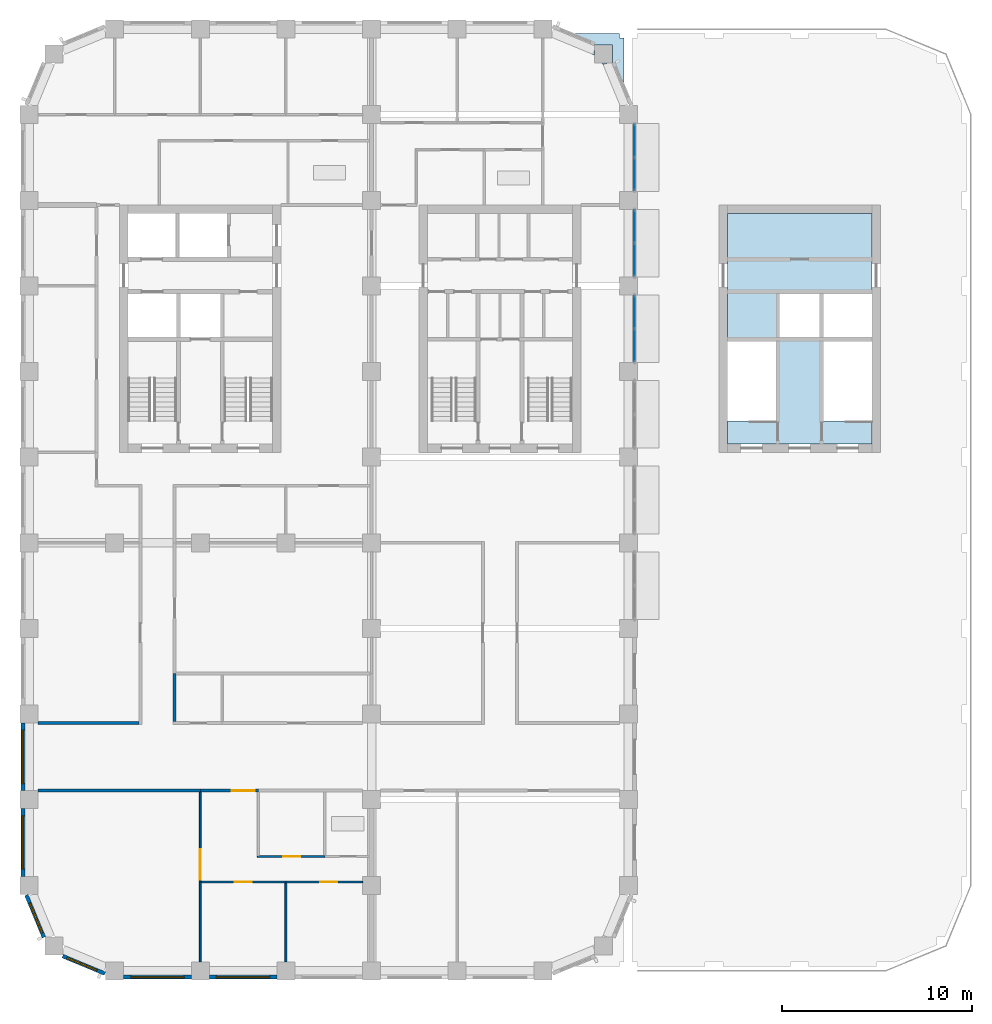
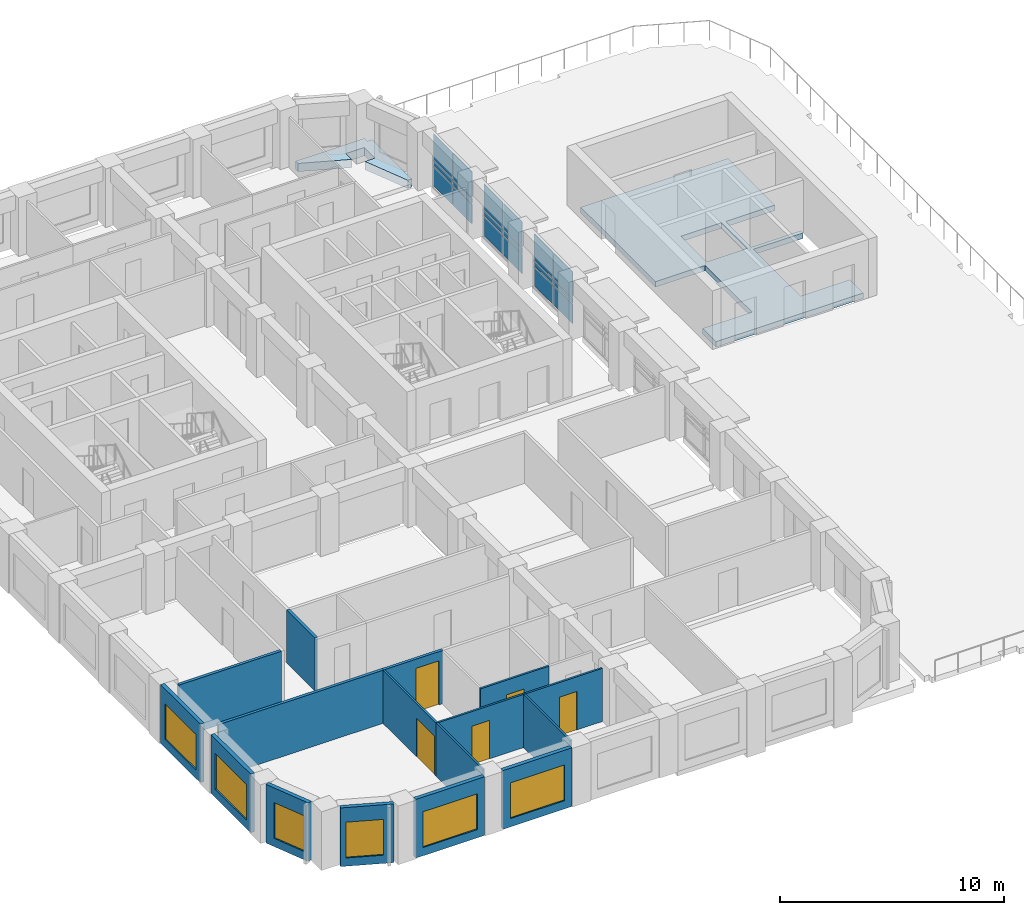
# One storey, part 6 of 15: 18 plates, 16 walls, 6 windows, 5 doors, 2 slabs, 11 openings, 3 elements without a shape of their own.
"""IFC4 building model written with IfcOpenShell, lengths in metres."""

from ifc_helpers import new_model, si_unit, direction, frame, frame_2d, origin, origin_2d, place, context, subcontext, project, spatial, polyline, rectangle, outline, extrude, material, layer, layer_set, type_object, element, fill, aggregate, save


model = new_model("IFC4")

# Units and contexts
model_context = context("Model", 3, precision=1e-05, world=origin(), true_north=direction((0.0, 1.0)))
body_context = subcontext(model_context, "Body", "Model", "MODEL_VIEW")
ifc_project = project(units=[si_unit("LENGTHUNIT", "METRE"), si_unit("AREAUNIT", "SQUARE_METRE"), si_unit("VOLUMEUNIT", "CUBIC_METRE"), si_unit("PLANEANGLEUNIT", "RADIAN"), si_unit("MASSUNIT", "GRAM", prefix="KILO")], contexts=[model_context])

# Site, building, storey
site_placement = place(None, origin())
site = spatial("IfcSite", under=ifc_project, at=site_placement, CompositionType="ELEMENT")
building_placement = place(site_placement, origin())
building = spatial("IfcBuilding", under=site, at=building_placement, Name="Girih Gate Residences", CompositionType="ELEMENT")
storey_placement = place(building_placement, frame((0.0, 0.0, 176.300048828125)))
storey = spatial("IfcBuildingStorey", under=building, at=storey_placement, Name="L48", CompositionType="ELEMENT", Elevation=176.300048828125)

# Slab
ifc_material_1 = material(Name="Concrete C40/50", Category="concrete")
ifc_layer_1 = layer(ifc_material_1, 0.300048828125)
ifc_layer_set_1 = layer_set([ifc_layer_1], Name="Core floor slab 300")
slab_type_1 = type_object("IfcSlabType", Name="Core floor slab 300", PredefinedType="FLOOR", material=ifc_layer_set_1)
slab_1_placement = place(storey_placement, frame((0.0, 0.0, -0.300048828125)))
element("IfcSlab", 1, at=slab_1_placement, inside=storey, type_object=slab_type_1, Name="L48 E core floor", PredefinedType="FLOOR", context=body_context, shape_type="SweptSolid", body=[
    extrude(outline(polyline([(44.300048828125, 27.699951171875), (36.699951171875, 27.699951171875), (36.699951171875, 28.900634765625), (39.25, 28.900634765625), (39.25, 33.10009765625), (36.699951171875, 33.10009765625), (36.699951171875, 39.800048828125), (44.300048828125, 39.800048828125), (44.300048828125, 35.60009765625), (41.75, 35.60009765625), (41.75, 33.300048828125), (44.300048828125, 33.300048828125), (44.300048828125, 33.10009765625), (41.75, 33.10009765625), (41.75, 28.900634765625), (44.300048828125, 28.900634765625), (44.300048828125, 27.699951171875)]), holes=[polyline([(39.449951171875, 33.300048828125), (41.550048828125, 33.300048828125), (41.550048828125, 35.60009765625), (39.449951171875, 35.60009765625), (39.449951171875, 33.300048828125)])]), origin(), (0.0, 0.0, 1.0), 0.300048828125),
])

# Curtain wall, plates
ifc_material_2 = material(Name="Aluminium curtain wall frame", Category="aluminium")
curtain_wall_type = type_object("IfcCurtainWallType", Name="Curtain wall CW-3 sky lounge glazing", PredefinedType="NOTDEFINED", material=ifc_material_2)
curtain_wall_1_placement = place(storey_placement, origin())
curtain_wall_1 = element("IfcCurtainWall", 2, at=curtain_wall_1_placement, inside=storey, type_object=curtain_wall_type, Name="CW-3 Sky lounge glazing E0315_0045.6", PredefinedType="NOTDEFINED")
ifc_material_3 = material(Name="Triple glazed unit")
ifc_layer_2 = layer(ifc_material_3, 0.0439453125)
ifc_layer_set_2 = layer_set([ifc_layer_2], Name="Curtain wall glass panel 44")
plate_type = type_object("IfcPlateType", Name="Curtain wall glass panel 44", PredefinedType="CURTAIN_PANEL", material=ifc_layer_set_2)
plate_1_placement = place(storey_placement, frame((31.81494140625, 32.87744140625, 0.059814453125), z_axis=(0.0, 0.0, 1.0), x_axis=(0.0, 1.0, 0.0)))
plate_1 = element("IfcPlate", 3, at=plate_1_placement, type_object=plate_type, Name="CW-3 panel 1.1", PredefinedType="CURTAIN_PANEL", context=body_context, shape_type="SweptSolid", body=[
    extrude(rectangle(XDim=1.68505859375, YDim=0.028076171875, at=origin_2d()), origin(), (0.0, 0.0, 1.0), 1.06005859375),
])
plate_2_placement = place(storey_placement, frame((31.81494140625, 32.87744140625, 1.18017578125), z_axis=(0.0, 0.0, 1.0), x_axis=(0.0, 1.0, 0.0)))
plate_2 = element("IfcPlate", 4, at=plate_2_placement, type_object=plate_type, Name="CW-3 panel 1.2", PredefinedType="CURTAIN_PANEL", context=body_context, shape_type="SweptSolid", body=[
    extrude(rectangle(XDim=1.68505859375, YDim=0.028076171875, at=origin_2d()), origin(), (0.0, 0.0, 1.0), 0.264892578125),
])
plate_3_placement = place(storey_placement, frame((31.81494140625, 32.87744140625, 1.5048828125), z_axis=(0.0, 0.0, 1.0), x_axis=(0.0, 1.0, 0.0)))
plate_3 = element("IfcPlate", 5, at=plate_3_placement, type_object=plate_type, Name="CW-3 panel 1.3", PredefinedType="CURTAIN_PANEL", context=body_context, shape_type="SweptSolid", body=[
    extrude(rectangle(XDim=1.68505859375, YDim=0.028076171875, at=origin_2d()), origin(), (0.0, 0.0, 1.0), 1.385009765625),
])
plate_4_placement = place(storey_placement, frame((31.81494140625, 34.62255859375, 0.059814453125), z_axis=(0.0, 0.0, 1.0), x_axis=(0.0, 1.0, 0.0)))
plate_4 = element("IfcPlate", 6, at=plate_4_placement, type_object=plate_type, Name="CW-3 panel 2.1", PredefinedType="CURTAIN_PANEL", context=body_context, shape_type="SweptSolid", body=[
    extrude(rectangle(XDim=1.68505859375, YDim=0.028076171875, at=origin_2d()), origin(), (0.0, 0.0, 1.0), 1.06005859375),
])
plate_5_placement = place(storey_placement, frame((31.81494140625, 34.62255859375, 1.18017578125), z_axis=(0.0, 0.0, 1.0), x_axis=(0.0, 1.0, 0.0)))
plate_5 = element("IfcPlate", 7, at=plate_5_placement, type_object=plate_type, Name="CW-3 panel 2.2", PredefinedType="CURTAIN_PANEL", context=body_context, shape_type="SweptSolid", body=[
    extrude(rectangle(XDim=1.68505859375, YDim=0.028076171875, at=origin_2d()), origin(), (0.0, 0.0, 1.0), 0.264892578125),
])
plate_6_placement = place(storey_placement, frame((31.81494140625, 34.62255859375, 1.5048828125), z_axis=(0.0, 0.0, 1.0), x_axis=(0.0, 1.0, 0.0)))
plate_6 = element("IfcPlate", 8, at=plate_6_placement, type_object=plate_type, Name="CW-3 panel 2.3", PredefinedType="CURTAIN_PANEL", context=body_context, shape_type="SweptSolid", body=[
    extrude(rectangle(XDim=1.68505859375, YDim=0.028076171875, at=origin_2d()), origin(), (0.0, 0.0, 1.0), 1.385009765625),
])
aggregate(curtain_wall_1, [plate_1, plate_2, plate_3, plate_4, plate_5, plate_6])

curtain_wall_2_placement = place(storey_placement, origin())
curtain_wall_2 = element("IfcCurtainWall", 9, at=curtain_wall_2_placement, inside=storey, type_object=curtain_wall_type, Name="CW-3 Sky lounge glazing E0315_0045.7", PredefinedType="NOTDEFINED")
plate_7_placement = place(storey_placement, frame((31.81494140625, 37.37744140625, 0.059814453125), z_axis=(0.0, 0.0, 1.0), x_axis=(0.0, 1.0, 0.0)))
plate_7 = element("IfcPlate", 10, at=plate_7_placement, type_object=plate_type, Name="CW-3 panel 1.1", PredefinedType="CURTAIN_PANEL", context=body_context, shape_type="SweptSolid", body=[
    extrude(rectangle(XDim=1.68505859375, YDim=0.028076171875, at=origin_2d()), origin(), (0.0, 0.0, 1.0), 1.06005859375),
])
plate_8_placement = place(storey_placement, frame((31.81494140625, 37.37744140625, 1.18017578125), z_axis=(0.0, 0.0, 1.0), x_axis=(0.0, 1.0, 0.0)))
plate_8 = element("IfcPlate", 11, at=plate_8_placement, type_object=plate_type, Name="CW-3 panel 1.2", PredefinedType="CURTAIN_PANEL", context=body_context, shape_type="SweptSolid", body=[
    extrude(rectangle(XDim=1.68505859375, YDim=0.028076171875, at=origin_2d()), origin(), (0.0, 0.0, 1.0), 0.264892578125),
])
plate_9_placement = place(storey_placement, frame((31.81494140625, 37.37744140625, 1.5048828125), z_axis=(0.0, 0.0, 1.0), x_axis=(0.0, 1.0, 0.0)))
plate_9 = element("IfcPlate", 12, at=plate_9_placement, type_object=plate_type, Name="CW-3 panel 1.3", PredefinedType="CURTAIN_PANEL", context=body_context, shape_type="SweptSolid", body=[
    extrude(rectangle(XDim=1.68505859375, YDim=0.028076171875, at=origin_2d()), origin(), (0.0, 0.0, 1.0), 1.385009765625),
])
plate_10_placement = place(storey_placement, frame((31.81494140625, 39.12255859375, 0.059814453125), z_axis=(0.0, 0.0, 1.0), x_axis=(0.0, 1.0, 0.0)))
plate_10 = element("IfcPlate", 13, at=plate_10_placement, type_object=plate_type, Name="CW-3 panel 2.1", PredefinedType="CURTAIN_PANEL", context=body_context, shape_type="SweptSolid", body=[
    extrude(rectangle(XDim=1.68505859375, YDim=0.028076171875, at=origin_2d()), origin(), (0.0, 0.0, 1.0), 1.06005859375),
])
plate_11_placement = place(storey_placement, frame((31.81494140625, 39.12255859375, 1.18017578125), z_axis=(0.0, 0.0, 1.0), x_axis=(0.0, 1.0, 0.0)))
plate_11 = element("IfcPlate", 14, at=plate_11_placement, type_object=plate_type, Name="CW-3 panel 2.2", PredefinedType="CURTAIN_PANEL", context=body_context, shape_type="SweptSolid", body=[
    extrude(rectangle(XDim=1.68505859375, YDim=0.028076171875, at=origin_2d()), origin(), (0.0, 0.0, 1.0), 0.264892578125),
])
plate_12_placement = place(storey_placement, frame((31.81494140625, 39.12255859375, 1.5048828125), z_axis=(0.0, 0.0, 1.0), x_axis=(0.0, 1.0, 0.0)))
plate_12 = element("IfcPlate", 15, at=plate_12_placement, type_object=plate_type, Name="CW-3 panel 2.3", PredefinedType="CURTAIN_PANEL", context=body_context, shape_type="SweptSolid", body=[
    extrude(rectangle(XDim=1.68505859375, YDim=0.028076171875, at=origin_2d()), origin(), (0.0, 0.0, 1.0), 1.385009765625),
])
aggregate(curtain_wall_2, [plate_7, plate_8, plate_9, plate_10, plate_11, plate_12])

curtain_wall_3_placement = place(storey_placement, origin())
curtain_wall_3 = element("IfcCurtainWall", 16, at=curtain_wall_3_placement, inside=storey, type_object=curtain_wall_type, Name="CW-3 Sky lounge glazing E0315_0045.8", PredefinedType="NOTDEFINED")
plate_13_placement = place(storey_placement, frame((31.81494140625, 41.87744140625, 0.059814453125), z_axis=(0.0, 0.0, 1.0), x_axis=(0.0, 1.0, 0.0)))
plate_13 = element("IfcPlate", 17, at=plate_13_placement, type_object=plate_type, Name="CW-3 panel 1.1", PredefinedType="CURTAIN_PANEL", context=body_context, shape_type="SweptSolid", body=[
    extrude(rectangle(XDim=1.68505859375, YDim=0.028076171875, at=origin_2d()), origin(), (0.0, 0.0, 1.0), 1.06005859375),
])
plate_14_placement = place(storey_placement, frame((31.81494140625, 41.87744140625, 1.18017578125), z_axis=(0.0, 0.0, 1.0), x_axis=(0.0, 1.0, 0.0)))
plate_14 = element("IfcPlate", 18, at=plate_14_placement, type_object=plate_type, Name="CW-3 panel 1.2", PredefinedType="CURTAIN_PANEL", context=body_context, shape_type="SweptSolid", body=[
    extrude(rectangle(XDim=1.68505859375, YDim=0.028076171875, at=origin_2d()), origin(), (0.0, 0.0, 1.0), 0.264892578125),
])
plate_15_placement = place(storey_placement, frame((31.81494140625, 41.87744140625, 1.5048828125), z_axis=(0.0, 0.0, 1.0), x_axis=(0.0, 1.0, 0.0)))
plate_15 = element("IfcPlate", 19, at=plate_15_placement, type_object=plate_type, Name="CW-3 panel 1.3", PredefinedType="CURTAIN_PANEL", context=body_context, shape_type="SweptSolid", body=[
    extrude(rectangle(XDim=1.68505859375, YDim=0.028076171875, at=origin_2d()), origin(), (0.0, 0.0, 1.0), 1.385009765625),
])
plate_16_placement = place(storey_placement, frame((31.81494140625, 43.62255859375, 0.059814453125), z_axis=(0.0, 0.0, 1.0), x_axis=(0.0, 1.0, 0.0)))
plate_16 = element("IfcPlate", 20, at=plate_16_placement, type_object=plate_type, Name="CW-3 panel 2.1", PredefinedType="CURTAIN_PANEL", context=body_context, shape_type="SweptSolid", body=[
    extrude(rectangle(XDim=1.68505859375, YDim=0.028076171875, at=origin_2d()), origin(), (0.0, 0.0, 1.0), 1.06005859375),
])
plate_17_placement = place(storey_placement, frame((31.81494140625, 43.62255859375, 1.18017578125), z_axis=(0.0, 0.0, 1.0), x_axis=(0.0, 1.0, 0.0)))
plate_17 = element("IfcPlate", 21, at=plate_17_placement, type_object=plate_type, Name="CW-3 panel 2.2", PredefinedType="CURTAIN_PANEL", context=body_context, shape_type="SweptSolid", body=[
    extrude(rectangle(XDim=1.68505859375, YDim=0.028076171875, at=origin_2d()), origin(), (0.0, 0.0, 1.0), 0.264892578125),
])
plate_18_placement = place(storey_placement, frame((31.81494140625, 43.62255859375, 1.5048828125), z_axis=(0.0, 0.0, 1.0), x_axis=(0.0, 1.0, 0.0)))
plate_18 = element("IfcPlate", 22, at=plate_18_placement, type_object=plate_type, Name="CW-3 panel 2.3", PredefinedType="CURTAIN_PANEL", context=body_context, shape_type="SweptSolid", body=[
    extrude(rectangle(XDim=1.68505859375, YDim=0.028076171875, at=origin_2d()), origin(), (0.0, 0.0, 1.0), 1.385009765625),
])
aggregate(curtain_wall_3, [plate_13, plate_14, plate_15, plate_16, plate_17, plate_18])

# Slab
ifc_layer_3 = layer(ifc_material_1, 0.449951171875)
ifc_layer_set_3 = layer_set([ifc_layer_3], Name="Terrace slab RC 450 Concrete C40/50")
slab_type_2 = type_object("IfcSlabType", Name="Terrace slab RC 450 Concrete C40/50", PredefinedType="FLOOR", material=ifc_layer_set_3)
slab_2_placement = place(storey_placement, frame((0.0, 0.0, -0.449951171875)))
element("IfcSlab", 23, at=slab_2_placement, inside=storey, type_object=slab_type_2, Name="Terrace slab L48 2", PredefinedType="FLOOR", context=body_context, shape_type="SweptSolid", body=[
    extrude(outline(polyline([(30.656982421875, 47.70703125), (30.13525390625, 47.70703125), (31.059814453125, 45.47509765625), (31.27490234375, 45.47509765625), (31.27490234375, 49.02490234375), (31.02490234375, 49.02490234375), (31.02490234375, 49.27490234375), (27.47509765625, 49.27490234375), (27.47509765625, 49.059814453125), (29.70703125, 48.13525390625), (29.70703125, 48.656982421875), (30.656982421875, 48.656982421875), (30.656982421875, 47.70703125)])), origin(), (0.0, 0.0, 1.0), 0.449951171875),
])

# Wall, opening, door
ifc_material_4 = material(Name="Gypsum board on steel studs", Category="steel")
ifc_layer_4 = layer(ifc_material_4, 0.14990234375)
ifc_layer_set_4 = layer_set([ifc_layer_4], Name="Compartment wall 150 mm")
wall_type_1 = type_object("IfcWallType", Name="Compartment wall 150 mm", PredefinedType="PARTITIONING", material=ifc_layer_set_4)
wall_1_placement = place(storey_placement, frame((12.050048828125, 9.47509765625, 0.0), z_axis=(0.0, 0.0, 1.0), x_axis=(-1.0, 0.0, 0.0)))
wall_1 = element("IfcWall", 24, at=wall_1_placement, inside=storey, type_object=wall_type_1, Name="L48 partition", PredefinedType="PARTITIONING", context=body_context, shape_type="SweptSolid", body=[
    extrude(rectangle(XDim=3.050048828125, YDim=0.14990234375, at=frame_2d((1.52490234375, 0.0))), origin(), (0.0, 0.0, 1.0), 2.89990234375),
])
opening_1_placement = place(wall_1_placement, frame((0.199951171875, 0.0, 0.0)))
opening_1 = element("IfcOpeningElement", 25, at=opening_1_placement, cuts=wall_1, Name="Opening A48-006", PredefinedType="OPENING", context=body_context, shape_type="SweptSolid", body=[
    extrude(rectangle(XDim=1.199951171875, YDim=2.39990234375, at=frame_2d((0.60009765625, 1.199951171875))), frame((0.0, 0.0849609375, 0.0), z_axis=(0.0, -1.0, 0.0), x_axis=(1.0, 0.0, 0.0)), (0.0, 0.0, 1.0), 0.169921875),
])
ifc_material_5 = material(Name="Timber, fire-rated core", Category="wood")
door_type_1 = type_object("IfcDoorType", Name="Villa entrance door 1200x2400 FD30S", OperationType="NOTDEFINED", PredefinedType="DOOR", material=ifc_material_5)
door_1_placement = place(opening_1_placement, origin())
door_1 = element("IfcDoor", 26, at=door_1_placement, inside=storey, type_object=door_type_1, Name="Door A48-006", OperationType="SINGLE_SWING_LEFT", OverallHeight=2.39990234375, OverallWidth=1.199951171875, PredefinedType="DOOR", context=body_context, shape_type="SweptSolid", body=[
    extrude(rectangle(XDim=1.199951171875, YDim=2.39990234375, at=frame_2d((0.60009765625, 1.199951171875))), frame((0.0, 0.02490234375, 0.0), z_axis=(0.0, -1.0, 0.0), x_axis=(1.0, 0.0, 0.0)), (0.0, 0.0, 1.0), 0.050048828125),
])
fill(opening_1, door_1)

# Walls
wall_2_placement = place(storey_placement, frame((0.47509765625, 9.47509765625, 0.0), z_axis=(0.0, 0.0, 1.0), x_axis=(1.0, 0.0, 0.0)))
element("IfcWall", 27, at=wall_2_placement, inside=storey, type_object=wall_type_1, Name="L48 partition", PredefinedType="PARTITIONING", context=body_context, shape_type="SweptSolid", body=[
    extrude(rectangle(XDim=8.52490234375, YDim=0.14990234375, at=frame_2d((4.262451171875, 0.0))), origin(), (0.0, 0.0, 1.0), 2.89990234375),
])
wall_3_placement = place(storey_placement, frame((0.47509765625, 13.02490234375, 0.0), z_axis=(0.0, 0.0, 1.0), x_axis=(1.0, 0.0, 0.0)))
element("IfcWall", 28, at=wall_3_placement, inside=storey, type_object=wall_type_1, Name="L48 partition", PredefinedType="PARTITIONING", context=body_context, shape_type="SweptSolid", body=[
    extrude(rectangle(XDim=5.2998046875, YDim=0.14990234375, at=frame_2d((2.64990234375, 0.0))), origin(), (0.0, 0.0, 1.0), 2.89990234375),
])
wall_4_placement = place(storey_placement, frame((7.64990234375, 13.10009765625, 0.0), z_axis=(0.0, 0.0, 1.0), x_axis=(0.0, 1.0, 0.0)))
element("IfcWall", 29, at=wall_4_placement, inside=storey, type_object=wall_type_1, Name="L48 partition", PredefinedType="PARTITIONING", context=body_context, shape_type="SweptSolid", body=[
    extrude(rectangle(XDim=2.52490234375, YDim=0.14990234375, at=frame_2d((1.262451171875, 0.0))), origin(), (0.0, 0.0, 1.0), 2.89990234375),
])
ifc_layer_5 = layer(ifc_material_4, 0.10009765625)
ifc_layer_set_5 = layer_set([ifc_layer_5], Name="Partition 100 mm")
wall_type_2 = type_object("IfcWallType", Name="Partition 100 mm", PredefinedType="PARTITIONING", material=ifc_layer_set_5)
wall_5_placement = place(storey_placement, frame((13.5, 0.47509765625, 0.0), z_axis=(0.0, 0.0, 1.0), x_axis=(0.0, 1.0, 0.0)))
element("IfcWall", 30, at=wall_5_placement, inside=storey, type_object=wall_type_2, Name="L48 partition", PredefinedType="PARTITIONING", context=body_context, shape_type="SweptSolid", body=[
    extrude(rectangle(XDim=4.14990234375, YDim=0.10009765625, at=frame_2d((2.074951171875, 0.0))), origin(), (0.0, 0.0, 1.0), 2.89990234375),
])

# Wall, opening, door
wall_6_placement = place(storey_placement, frame((13.5, 4.675048828125, 0.0), z_axis=(0.0, 0.0, 1.0), x_axis=(-1.0, 0.0, 0.0)))
wall_6 = element("IfcWall", 31, at=wall_6_placement, inside=storey, type_object=wall_type_2, Name="L48 partition", PredefinedType="PARTITIONING", context=body_context, shape_type="SweptSolid", body=[
    extrude(rectangle(XDim=4.449951171875, YDim=0.10009765625, at=frame_2d((2.22509765625, 0.0))), origin(), (0.0, 0.0, 1.0), 2.89990234375),
])
opening_2_placement = place(wall_6_placement, frame((1.800048828125, 0.0, 0.0)))
opening_2 = element("IfcOpeningElement", 32, at=opening_2_placement, cuts=wall_6, Name="Opening A48-002", PredefinedType="OPENING", context=body_context, shape_type="SweptSolid", body=[
    extrude(rectangle(XDim=0.89990234375, YDim=2.10009765625, at=frame_2d((0.449951171875, 1.050048828125))), frame((0.0, 0.06005859375, 0.0), z_axis=(0.0, -1.0, 0.0), x_axis=(1.0, 0.0, 0.0)), (0.0, 0.0, 1.0), 0.1201171875),
])
ifc_material_6 = material(Name="Timber", Category="wood")
door_type_2 = type_object("IfcDoorType", Name="Bedroom door 900x2100", OperationType="NOTDEFINED", PredefinedType="DOOR", material=ifc_material_6)
door_2_placement = place(opening_2_placement, origin())
door_2 = element("IfcDoor", 33, at=door_2_placement, inside=storey, type_object=door_type_2, Name="Door A48-002", OperationType="SINGLE_SWING_RIGHT", OverallHeight=2.10009765625, OverallWidth=0.89990234375, PredefinedType="DOOR", context=body_context, shape_type="SweptSolid", body=[
    extrude(rectangle(XDim=0.89990234375, YDim=2.10009765625, at=frame_2d((0.449951171875, 1.050048828125))), frame((0.0, 0.02490234375, 0.0), z_axis=(0.0, -1.0, 0.0), x_axis=(1.0, 0.0, 0.0)), (0.0, 0.0, 1.0), 0.050048828125),
])
fill(opening_2, door_2)

# Wall
wall_7_placement = place(storey_placement, frame((9.0, 0.47509765625, 0.0), z_axis=(0.0, 0.0, 1.0), x_axis=(0.0, 1.0, 0.0)))
element("IfcWall", 34, at=wall_7_placement, inside=storey, type_object=wall_type_2, Name="L48 partition", PredefinedType="PARTITIONING", context=body_context, shape_type="SweptSolid", body=[
    extrude(rectangle(XDim=4.199951171875, YDim=0.10009765625, at=frame_2d((2.10009765625, 0.0))), origin(), (0.0, 0.0, 1.0), 2.89990234375),
])

# Wall, opening, door
wall_8_placement = place(storey_placement, frame((17.52490234375, 4.675048828125, 0.0), z_axis=(0.0, 0.0, 1.0), x_axis=(-1.0, 0.0, 0.0)))
wall_8 = element("IfcWall", 35, at=wall_8_placement, inside=storey, type_object=wall_type_2, Name="L48 partition", PredefinedType="PARTITIONING", context=body_context, shape_type="SweptSolid", body=[
    extrude(rectangle(XDim=4.02490234375, YDim=0.10009765625, at=frame_2d((2.012451171875, 0.0))), origin(), (0.0, 0.0, 1.0), 2.89990234375),
])
opening_3_placement = place(wall_8_placement, frame((1.324951171875, 0.0, 0.0)))
opening_3 = element("IfcOpeningElement", 36, at=opening_3_placement, cuts=wall_8, Name="Opening A48-003", PredefinedType="OPENING", context=body_context, shape_type="SweptSolid", body=[
    extrude(rectangle(XDim=0.89990234375, YDim=2.10009765625, at=frame_2d((0.449951171875, 1.050048828125))), frame((0.0, 0.06005859375, 0.0), z_axis=(0.0, -1.0, 0.0), x_axis=(1.0, 0.0, 0.0)), (0.0, 0.0, 1.0), 0.1201171875),
])
door_3_placement = place(opening_3_placement, origin())
door_3 = element("IfcDoor", 37, at=door_3_placement, inside=storey, type_object=door_type_2, Name="Door A48-003", OperationType="SINGLE_SWING_LEFT", OverallHeight=2.10009765625, OverallWidth=0.89990234375, PredefinedType="DOOR", context=body_context, shape_type="SweptSolid", body=[
    extrude(rectangle(XDim=0.89990234375, YDim=2.10009765625, at=frame_2d((0.449951171875, 1.050048828125))), frame((0.0, 0.02490234375, 0.0), z_axis=(0.0, -1.0, 0.0), x_axis=(1.0, 0.0, 0.0)), (0.0, 0.0, 1.0), 0.050048828125),
])
fill(opening_3, door_3)

wall_9_placement = place(storey_placement, frame((12.0, 6.014892578125, 0.0), z_axis=(0.0, 0.0, 1.0), x_axis=(1.0, 0.0, 0.0)))
wall_9 = element("IfcWall", 38, at=wall_9_placement, inside=storey, type_object=wall_type_2, Name="L48 partition", PredefinedType="PARTITIONING", context=body_context, shape_type="SweptSolid", body=[
    extrude(rectangle(XDim=3.544677734375, YDim=0.10009765625, at=frame_2d((1.7724609375, 0.0))), origin(), (0.0, 0.0, 1.0), 2.89990234375),
])
opening_4_placement = place(wall_9_placement, frame((1.347412109375, 0.0, 0.0)))
opening_4 = element("IfcOpeningElement", 39, at=opening_4_placement, cuts=wall_9, Name="Opening A48-004", PredefinedType="OPENING", context=body_context, shape_type="SweptSolid", body=[
    extrude(rectangle(XDim=0.89990234375, YDim=2.10009765625, at=frame_2d((0.449951171875, 1.050048828125))), frame((0.0, 0.06005859375, 0.0), z_axis=(0.0, -1.0, 0.0), x_axis=(1.0, 0.0, 0.0)), (0.0, 0.0, 1.0), 0.1201171875),
])
door_type_3 = type_object("IfcDoorType", Name="Kitchen door 900x2100", OperationType="NOTDEFINED", PredefinedType="DOOR", material=ifc_material_6)
door_4_placement = place(opening_4_placement, origin())
door_4 = element("IfcDoor", 40, at=door_4_placement, inside=storey, type_object=door_type_3, Name="Door A48-004", OperationType="SINGLE_SWING_RIGHT", OverallHeight=2.10009765625, OverallWidth=0.89990234375, PredefinedType="DOOR", context=body_context, shape_type="SweptSolid", body=[
    extrude(rectangle(XDim=0.89990234375, YDim=2.10009765625, at=frame_2d((0.449951171875, 1.050048828125))), frame((0.0, 0.02490234375, 0.0), z_axis=(0.0, -1.0, 0.0), x_axis=(1.0, 0.0, 0.0)), (0.0, 0.0, 1.0), 0.050048828125),
])
fill(opening_4, door_4)

wall_10_placement = place(storey_placement, frame((9.0, 4.675048828125, 0.0), z_axis=(0.0, 0.0, 1.0), x_axis=(0.0, 1.0, 0.0)))
wall_10 = element("IfcWall", 41, at=wall_10_placement, inside=storey, type_object=wall_type_2, Name="L48 partition", PredefinedType="PARTITIONING", context=body_context, shape_type="SweptSolid", body=[
    extrude(rectangle(XDim=4.724853515625, YDim=0.10009765625, at=frame_2d((2.3623046875, 0.0))), origin(), (0.0, 0.0, 1.0), 2.89990234375),
])
opening_5_placement = place(wall_10_placement, frame((0.1298828125, 0.0, 0.0)))
opening_5 = element("IfcOpeningElement", 42, at=opening_5_placement, cuts=wall_10, Name="Opening A48-005", PredefinedType="OPENING", context=body_context, shape_type="SweptSolid", body=[
    extrude(rectangle(XDim=1.60009765625, YDim=2.10009765625, at=frame_2d((0.800048828125, 1.050048828125))), frame((0.0, 0.06005859375, 0.0), z_axis=(0.0, -1.0, 0.0), x_axis=(1.0, 0.0, 0.0)), (0.0, 0.0, 1.0), 0.1201171875),
])
door_type_4 = type_object("IfcDoorType", Name="Double leaf door 1600x2100", OperationType="NOTDEFINED", PredefinedType="DOOR", material=ifc_material_6)
door_5_placement = place(opening_5_placement, origin())
door_5 = element("IfcDoor", 43, at=door_5_placement, inside=storey, type_object=door_type_4, Name="Door A48-005", OperationType="SINGLE_SWING_LEFT", OverallHeight=2.10009765625, OverallWidth=1.60009765625, PredefinedType="DOOR", context=body_context, shape_type="SweptSolid", body=[
    extrude(rectangle(XDim=1.60009765625, YDim=2.10009765625, at=frame_2d((0.800048828125, 1.050048828125))), frame((0.0, 0.02490234375, 0.0), z_axis=(0.0, -1.0, 0.0), x_axis=(1.0, 0.0, 0.0)), (0.0, 0.0, 1.0), 0.050048828125),
])
fill(opening_5, door_5)

# Wall, opening, window
ifc_material_7 = material(Name="Precast concrete C50/60", Category="concrete")
ifc_layer_6 = layer(ifc_material_7, 0.06005859375, Name="Outer leaf")
ifc_material_8 = material(Name="Rigid PIR insulation")
ifc_layer_7 = layer(ifc_material_8, 0.090087890625, Name="Insulation")
ifc_material_9 = material(Name="Precast concrete C40/50", Category="concrete")
ifc_layer_8 = layer(ifc_material_9, 0.050048828125, Name="Inner leaf")
ifc_layer_set_6 = layer_set([ifc_layer_6, ifc_layer_7, ifc_layer_8], Name="Precast concrete C50/60 external wall 200")
wall_type_3 = type_object("IfcWallType", Name="Precast concrete C50/60 external wall 200", PredefinedType="SOLIDWALL", material=ifc_layer_set_6)
wall_11_placement = place(storey_placement, frame((-0.324951171875, 9.47509765625, 0.0), z_axis=(0.0, 0.0, 1.0), x_axis=(0.0, 1.0, 0.0)))
wall_11 = element("IfcWall", 44, at=wall_11_placement, inside=storey, type_object=wall_type_3, Name="External wall W0000_0450.7", PredefinedType="SOLIDWALL", context=body_context, shape_type="SweptSolid", body=[
    extrude(rectangle(XDim=3.5498046875, YDim=0.199951171875, at=frame_2d((1.77490234375, 0.0))), origin(), (0.0, 0.0, 1.0), 3.199951171875),
])
opening_6_placement = place(wall_11_placement, frame((0.375, 0.0, 0.449951171875)))
opening_6 = element("IfcOpeningElement", 45, at=opening_6_placement, cuts=wall_11, Name="Opening W-1B", PredefinedType="OPENING", context=body_context, shape_type="SweptSolid", body=[
    extrude(rectangle(XDim=2.800048828125, YDim=1.949951171875, at=frame_2d((1.39990234375, 0.97509765625))), frame((0.0, 0.10986328125, 0.0), z_axis=(0.0, -1.0, 0.0), x_axis=(1.0, 0.0, 0.0)), (0.0, 0.0, 1.0), 0.219970703125),
])
ifc_material_10 = material(Name="Double glazing in aluminium frame", Category="aluminium")
window_type_1 = type_object("IfcWindowType", Name="Window W-1B 2800x1950", PartitioningType="SINGLE_PANEL", PredefinedType="WINDOW", material=ifc_material_10)
window_1_placement = place(opening_6_placement, origin())
window_1 = element("IfcWindow", 46, at=window_1_placement, inside=storey, type_object=window_type_1, Name="Window W-1B W0000_0450.7", OverallHeight=1.949951171875, OverallWidth=2.800048828125, PartitioningType="SINGLE_PANEL", PredefinedType="WINDOW", context=body_context, shape_type="SweptSolid", body=[
    extrude(rectangle(XDim=2.800048828125, YDim=1.949951171875, at=frame_2d((1.39990234375, 0.97509765625))), frame((0.0, 0.030029296875, 0.0), z_axis=(0.0, -1.0, 0.0), x_axis=(1.0, 0.0, 0.0)), (0.0, 0.0, 1.0), 0.06005859375),
])
fill(opening_6, window_1)

wall_12_placement = place(storey_placement, frame((-0.324951171875, 4.97509765625, 0.0), z_axis=(0.0, 0.0, 1.0), x_axis=(0.0, 1.0, 0.0)))
wall_12 = element("IfcWall", 47, at=wall_12_placement, inside=storey, type_object=wall_type_3, Name="External wall W0000_0450.8", PredefinedType="SOLIDWALL", context=body_context, shape_type="SweptSolid", body=[
    extrude(rectangle(XDim=3.5498046875, YDim=0.199951171875, at=frame_2d((1.77490234375, 0.0))), origin(), (0.0, 0.0, 1.0), 3.199951171875),
])
opening_7_placement = place(wall_12_placement, frame((0.375, 0.0, 0.449951171875)))
opening_7 = element("IfcOpeningElement", 48, at=opening_7_placement, cuts=wall_12, Name="Opening W-1B", PredefinedType="OPENING", context=body_context, shape_type="SweptSolid", body=[
    extrude(rectangle(XDim=2.800048828125, YDim=1.949951171875, at=frame_2d((1.39990234375, 0.97509765625))), frame((0.0, 0.10986328125, 0.0), z_axis=(0.0, -1.0, 0.0), x_axis=(1.0, 0.0, 0.0)), (0.0, 0.0, 1.0), 0.219970703125),
])
window_2_placement = place(opening_7_placement, origin())
window_2 = element("IfcWindow", 49, at=window_2_placement, inside=storey, type_object=window_type_1, Name="Window W-1B W0000_0450.8", OverallHeight=1.949951171875, OverallWidth=2.800048828125, PartitioningType="SINGLE_PANEL", PredefinedType="WINDOW", context=body_context, shape_type="SweptSolid", body=[
    extrude(rectangle(XDim=2.800048828125, YDim=1.949951171875, at=frame_2d((1.39990234375, 0.97509765625))), frame((0.0, 0.030029296875, 0.0), z_axis=(0.0, -1.0, 0.0), x_axis=(1.0, 0.0, 0.0)), (0.0, 0.0, 1.0), 0.06005859375),
])
fill(opening_7, window_2)

wall_13_placement = place(storey_placement, frame((0.7802734375, 1.76708984375, 0.0), z_axis=(0.0, 0.0, 1.0), x_axis=(-0.382680855588, 0.923880599843, 0.0)))
wall_13 = element("IfcWall", 50, at=wall_13_placement, inside=storey, type_object=wall_type_3, Name="External wall SW0000_0045.0", PredefinedType="SOLIDWALL", context=body_context, shape_type="SweptSolid", body=[
    extrude(rectangle(XDim=2.402587890625, YDim=0.199951171875, at=frame_2d((1.201171875, 0.0))), origin(), (0.0, 0.0, 1.0), 3.199951171875),
])
opening_8_placement = place(wall_13_placement, frame((0.25146484375, 0.0, 0.449951171875)))
opening_8 = element("IfcOpeningElement", 51, at=opening_8_placement, cuts=wall_13, Name="Opening W-2E", PredefinedType="OPENING", context=body_context, shape_type="SweptSolid", body=[
    extrude(rectangle(XDim=1.699951171875, YDim=1.949951171875, at=frame_2d((0.85009765625, 0.97509765625))), frame((0.0, 0.10986328125, 0.0), z_axis=(0.0, -1.0, 0.0), x_axis=(1.0, 0.0, 0.0)), (0.0, 0.0, 1.0), 0.219970703125),
])
window_type_2 = type_object("IfcWindowType", Name="Window W-2E 1700x1950", PartitioningType="SINGLE_PANEL", PredefinedType="WINDOW", material=ifc_material_10)
window_3_placement = place(opening_8_placement, origin())
window_3 = element("IfcWindow", 52, at=window_3_placement, inside=storey, type_object=window_type_2, Name="Window W-2E SW0000_0045.0", OverallHeight=1.949951171875, OverallWidth=1.699951171875, PartitioningType="SINGLE_PANEL", PredefinedType="WINDOW", context=body_context, shape_type="SweptSolid", body=[
    extrude(rectangle(XDim=1.699951171875, YDim=1.949951171875, at=frame_2d((0.85009765625, 0.97509765625))), frame((0.0, 0.030029296875, 0.0), z_axis=(0.0, -1.0, 0.0), x_axis=(1.0, 0.0, 0.0)), (0.0, 0.0, 1.0), 0.06005859375),
])
fill(opening_8, window_3)

wall_14_placement = place(storey_placement, frame((3.98681640625, -0.13916015625, 0.0), z_axis=(0.0, 0.0, 1.0), x_axis=(-0.923880599843, 0.382680855588, 0.0)))
wall_14 = element("IfcWall", 53, at=wall_14_placement, inside=storey, type_object=wall_type_3, Name="External wall SW0013_0013.0", PredefinedType="SOLIDWALL", context=body_context, shape_type="SweptSolid", body=[
    extrude(rectangle(XDim=2.402587890625, YDim=0.199951171875, at=frame_2d((1.201171875, 0.0))), origin(), (0.0, 0.0, 1.0), 3.199951171875),
])
opening_9_placement = place(wall_14_placement, frame((0.451171875, 0.0, 0.449951171875)))
opening_9 = element("IfcOpeningElement", 54, at=opening_9_placement, cuts=wall_14, Name="Opening W-2E", PredefinedType="OPENING", context=body_context, shape_type="SweptSolid", body=[
    extrude(rectangle(XDim=1.699951171875, YDim=1.949951171875, at=frame_2d((0.85009765625, 0.97509765625))), frame((0.0, 0.10986328125, 0.0), z_axis=(0.0, -1.0, 0.0), x_axis=(1.0, 0.0, 0.0)), (0.0, 0.0, 1.0), 0.219970703125),
])
window_4_placement = place(opening_9_placement, origin())
window_4 = element("IfcWindow", 55, at=window_4_placement, inside=storey, type_object=window_type_2, Name="Window W-2E SW0013_0013.0", OverallHeight=1.949951171875, OverallWidth=1.699951171875, PartitioningType="SINGLE_PANEL", PredefinedType="WINDOW", context=body_context, shape_type="SweptSolid", body=[
    extrude(rectangle(XDim=1.699951171875, YDim=1.949951171875, at=frame_2d((0.85009765625, 0.97509765625))), frame((0.0, 0.030029296875, 0.0), z_axis=(0.0, -1.0, 0.0), x_axis=(1.0, 0.0, 0.0)), (0.0, 0.0, 1.0), 0.06005859375),
])
fill(opening_9, window_4)

wall_15_placement = place(storey_placement, frame((8.52490234375, -0.324951171875, 0.0), z_axis=(0.0, 0.0, 1.0), x_axis=(-1.0, 0.0, 0.0)))
wall_15 = element("IfcWall", 56, at=wall_15_placement, inside=storey, type_object=wall_type_3, Name="External wall S0045_0000.0", PredefinedType="SOLIDWALL", context=body_context, shape_type="SweptSolid", body=[
    extrude(rectangle(XDim=3.5498046875, YDim=0.199951171875, at=frame_2d((1.77490234375, 0.0))), origin(), (0.0, 0.0, 1.0), 3.199951171875),
])
opening_10_placement = place(wall_15_placement, frame((0.375, 0.0, 0.449951171875)))
opening_10 = element("IfcOpeningElement", 57, at=opening_10_placement, cuts=wall_15, Name="Opening W-1B", PredefinedType="OPENING", context=body_context, shape_type="SweptSolid", body=[
    extrude(rectangle(XDim=2.800048828125, YDim=1.949951171875, at=frame_2d((1.39990234375, 0.97509765625))), frame((0.0, 0.10986328125, 0.0), z_axis=(0.0, -1.0, 0.0), x_axis=(1.0, 0.0, 0.0)), (0.0, 0.0, 1.0), 0.219970703125),
])
window_5_placement = place(opening_10_placement, origin())
window_5 = element("IfcWindow", 58, at=window_5_placement, inside=storey, type_object=window_type_1, Name="Window W-1B S0045_0000.0", OverallHeight=1.949951171875, OverallWidth=2.800048828125, PartitioningType="SINGLE_PANEL", PredefinedType="WINDOW", context=body_context, shape_type="SweptSolid", body=[
    extrude(rectangle(XDim=2.800048828125, YDim=1.949951171875, at=frame_2d((1.39990234375, 0.97509765625))), frame((0.0, 0.030029296875, 0.0), z_axis=(0.0, -1.0, 0.0), x_axis=(1.0, 0.0, 0.0)), (0.0, 0.0, 1.0), 0.06005859375),
])
fill(opening_10, window_5)

wall_16_placement = place(storey_placement, frame((13.02490234375, -0.324951171875, 0.0), z_axis=(0.0, 0.0, 1.0), x_axis=(-1.0, 0.0, 0.0)))
wall_16 = element("IfcWall", 59, at=wall_16_placement, inside=storey, type_object=wall_type_3, Name="External wall S0045_0000.1", PredefinedType="SOLIDWALL", context=body_context, shape_type="SweptSolid", body=[
    extrude(rectangle(XDim=3.5498046875, YDim=0.199951171875, at=frame_2d((1.77490234375, 0.0))), origin(), (0.0, 0.0, 1.0), 3.199951171875),
])
opening_11_placement = place(wall_16_placement, frame((0.375, 0.0, 0.449951171875)))
opening_11 = element("IfcOpeningElement", 60, at=opening_11_placement, cuts=wall_16, Name="Opening W-1B", PredefinedType="OPENING", context=body_context, shape_type="SweptSolid", body=[
    extrude(rectangle(XDim=2.800048828125, YDim=1.949951171875, at=frame_2d((1.39990234375, 0.97509765625))), frame((0.0, 0.10986328125, 0.0), z_axis=(0.0, -1.0, 0.0), x_axis=(1.0, 0.0, 0.0)), (0.0, 0.0, 1.0), 0.219970703125),
])
window_6_placement = place(opening_11_placement, origin())
window_6 = element("IfcWindow", 61, at=window_6_placement, inside=storey, type_object=window_type_1, Name="Window W-1B S0045_0000.1", OverallHeight=1.949951171875, OverallWidth=2.800048828125, PartitioningType="SINGLE_PANEL", PredefinedType="WINDOW", context=body_context, shape_type="SweptSolid", body=[
    extrude(rectangle(XDim=2.800048828125, YDim=1.949951171875, at=frame_2d((1.39990234375, 0.97509765625))), frame((0.0, 0.030029296875, 0.0), z_axis=(0.0, -1.0, 0.0), x_axis=(1.0, 0.0, 0.0)), (0.0, 0.0, 1.0), 0.06005859375),
])
fill(opening_11, window_6)

save(model, "model.ifc")
